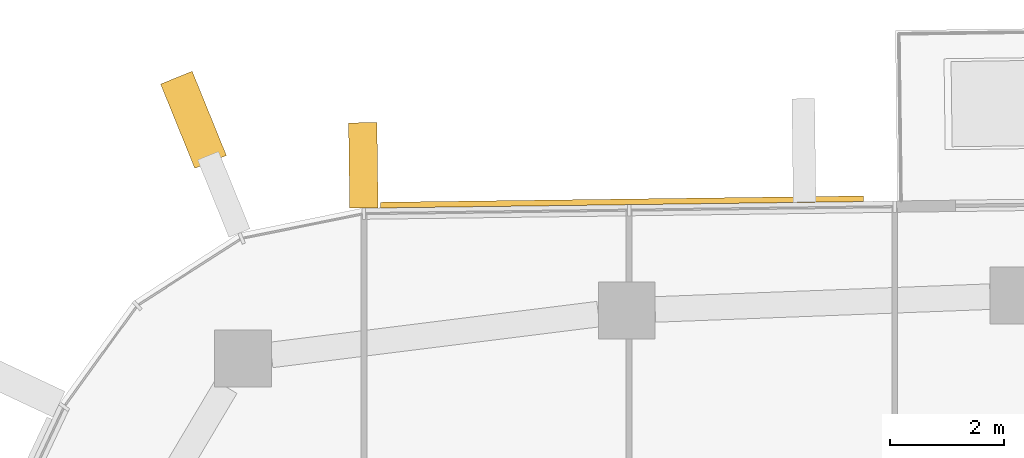
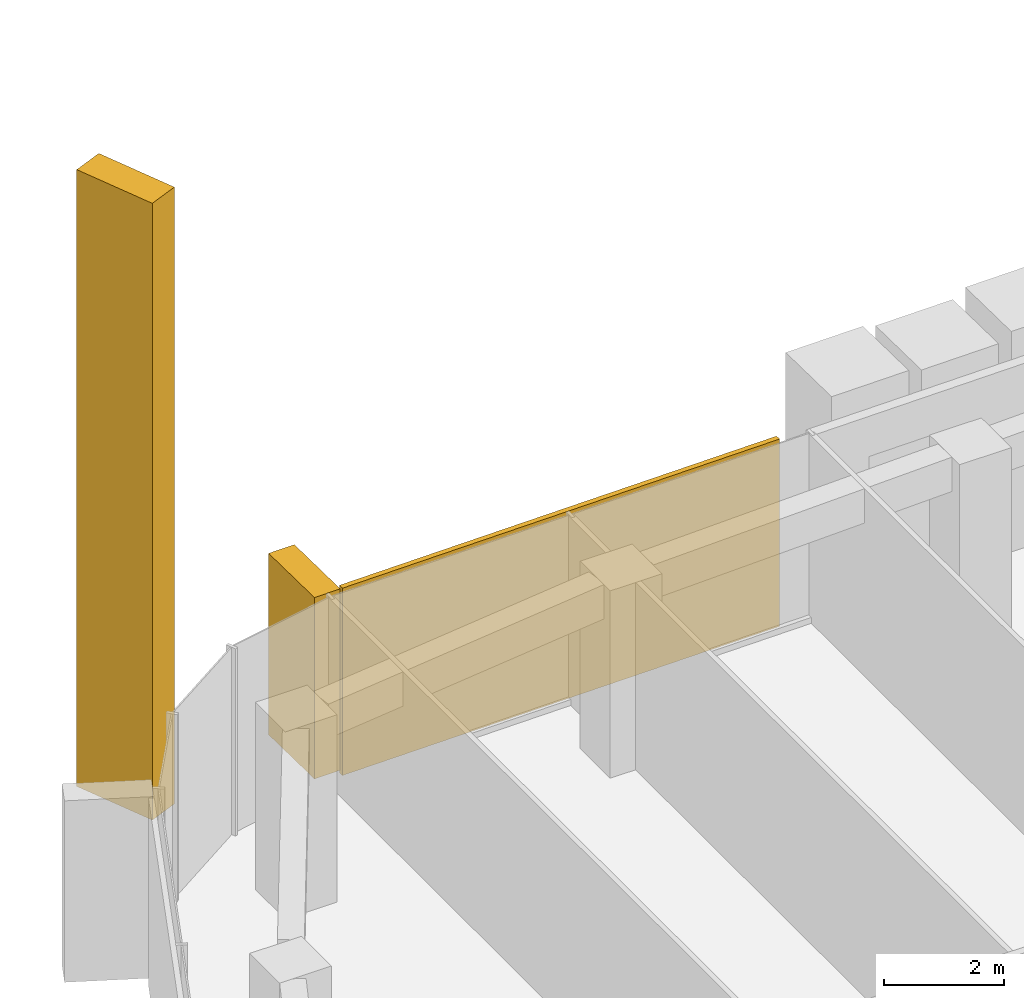
# One storey, part 22 of 24: 3 coverings, 2 elements without a shape of their own.
"""IFC4 building model written with IfcOpenShell, lengths in metres."""

from ifc_helpers import new_model, si_unit, direction, frame, origin, origin_2d, place, context, subcontext, project, spatial, rectangle, extrude, material, layer, layer_set, material_profile, profile_set, type_object, element, aggregate, save


model = new_model("IFC4")

# Units and contexts
model_context = context("Model", 3, precision=1e-05, world=origin(), true_north=direction((0.0, 1.0)))
body_context = subcontext(model_context, "Body", "Model", "MODEL_VIEW")
ifc_project = project(units=[si_unit("LENGTHUNIT", "METRE"), si_unit("AREAUNIT", "SQUARE_METRE"), si_unit("VOLUMEUNIT", "CUBIC_METRE"), si_unit("PLANEANGLEUNIT", "RADIAN"), si_unit("MASSUNIT", "GRAM", prefix="KILO")], contexts=[model_context])

# Site, building, storey
site_placement = place(None, origin())
site = spatial("IfcSite", under=ifc_project, at=site_placement, CompositionType="ELEMENT")
building_placement = place(site_placement, origin())
building = spatial("IfcBuilding", under=site, at=building_placement, Name="Dongbaek Canopy Tower", CompositionType="ELEMENT")
storey_placement = place(building_placement, frame((0.0, 0.0, 332.0)))
storey = spatial("IfcBuildingStorey", under=building, at=storey_placement, Name="L71", CompositionType="ELEMENT", Elevation=332.0)

# Curtain wall, covering
ifc_material_1 = material(Name="Aluminium 6063-T6 pale anodised", Category="aluminium")
ifc_layer_1 = layer(ifc_material_1, 0.199951171875)
ifc_layer_set_1 = layer_set([ifc_layer_1], Name="CW-1 unitised tower curtain wall")
curtain_wall_type = type_object("IfcCurtainWallType", Name="CW-1 unitised tower curtain wall", PredefinedType="NOTDEFINED", material=ifc_layer_set_1)
curtain_wall_1_placement = place(storey_placement, origin())
curtain_wall_1 = element("IfcCurtainWall", 1, at=curtain_wall_1_placement, inside=storey, type_object=curtain_wall_type, Name="CW-1 curtain wall K2.1", PredefinedType="NOTDEFINED")
ifc_material_2 = material(Name="Aluminium 6063-T6 pale metal fin", Category="aluminium")
ifc_material_profile_1 = material_profile(ifc_material_2, rectangle(XDim=1.60009765625, YDim=0.60009765625, at=origin_2d()), Name="Corner fin CN1 600 x 1600 pale metal")
ifc_profile_set_1 = profile_set([ifc_material_profile_1], Name="Aluminium 6063-T6 pale metal fin")
covering_type_1 = type_object("IfcCoveringType", Name="Corner fin CN1 600 x 1600 pale metal", PredefinedType="CLADDING", material=ifc_profile_set_1)
covering_1_placement = place(storey_placement, frame((-15.931396484375, 30.52001953125, -0.18994140625), z_axis=(0.0, 0.0, 1.0), x_axis=(-0.376366563283, 0.926470836045, 0.0)))
covering_1 = element("IfcCovering", 2, at=covering_1_placement, type_object=covering_type_1, Name="Corner fin L71 L73 K2", PredefinedType="CLADDING", context=body_context, shape_type="SweptSolid", body=[
    extrude(rectangle(XDim=1.60009765625, YDim=0.60009765625, at=origin_2d()), origin(), (0.0, 0.0, 1.0), 12.579833984375),
])
aggregate(curtain_wall_1, [covering_1])

# Curtain wall, coverings
curtain_wall_2_placement = place(storey_placement, origin())
curtain_wall_2 = element("IfcCurtainWall", 3, at=curtain_wall_2_placement, inside=storey, type_object=curtain_wall_type, Name="CW-1 curtain wall F1.1", PredefinedType="NOTDEFINED")
ifc_material_3 = material(Name="Perforated aluminium 6063-T6 pale metal screen", Category="aluminium")
ifc_layer_2 = layer(ifc_material_3, 0.10009765625)
ifc_layer_set_2 = layer_set([ifc_layer_2], Name="Facet screen FS1 100 pale metal")
covering_type_2 = type_object("IfcCoveringType", Name="Facet screen FS1 100 pale metal", PredefinedType="CLADDING", material=ifc_layer_set_2)
covering_2_placement = place(storey_placement, frame((-8.395263671875, 29.07470703125, 0.0), z_axis=(0.0, 0.0, 1.0), x_axis=(-0.999913342395, -0.013164638263, 0.0)))
covering_2 = element("IfcCovering", 4, at=covering_2_placement, type_object=covering_type_2, Name="Facet screen L71 F1", PredefinedType="CLADDING", context=body_context, shape_type="SweptSolid", body=[
    extrude(rectangle(XDim=8.499267578125, YDim=0.10009765625, at=origin_2d()), origin(), (0.0, 0.0, 1.0), 3.820068359375),
])
ifc_material_4 = material(Name="Aluminium 6063-T6 pale metal fin", Category="aluminium")
ifc_material_profile_2 = material_profile(ifc_material_4, rectangle(XDim=1.5, YDim=0.5, at=origin_2d()), Name="Fin FN1 500 x 1500 pale metal")
ifc_profile_set_2 = profile_set([ifc_material_profile_2], Name="Aluminium 6063-T6 pale metal fin")
covering_type_3 = type_object("IfcCoveringType", Name="Fin FN1 500 x 1500 pale metal", PredefinedType="CLADDING", material=ifc_profile_set_2)
covering_3_placement = place(storey_placement, frame((-12.943603515625, 29.718994140625, 0.1201171875), z_axis=(0.0, 0.0, 1.0), x_axis=(-0.013165315653, 0.999913333476, 0.0)))
covering_3 = element("IfcCovering", 5, at=covering_3_placement, type_object=covering_type_3, Name="Fin F1.1.3", PredefinedType="CLADDING", context=body_context, shape_type="SweptSolid", body=[
    extrude(rectangle(XDim=1.5, YDim=0.5, at=origin_2d()), origin(), (0.0, 0.0, 1.0), 3.699951171875),
])
aggregate(curtain_wall_2, [covering_3, covering_2])

save(model, "model.ifc")
